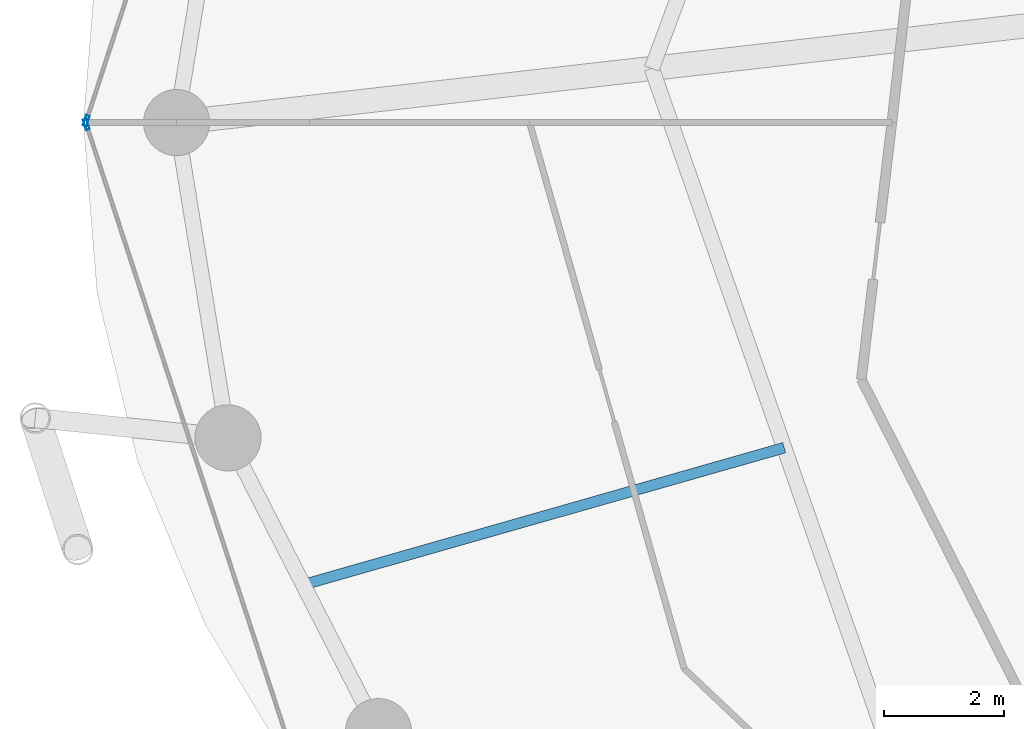
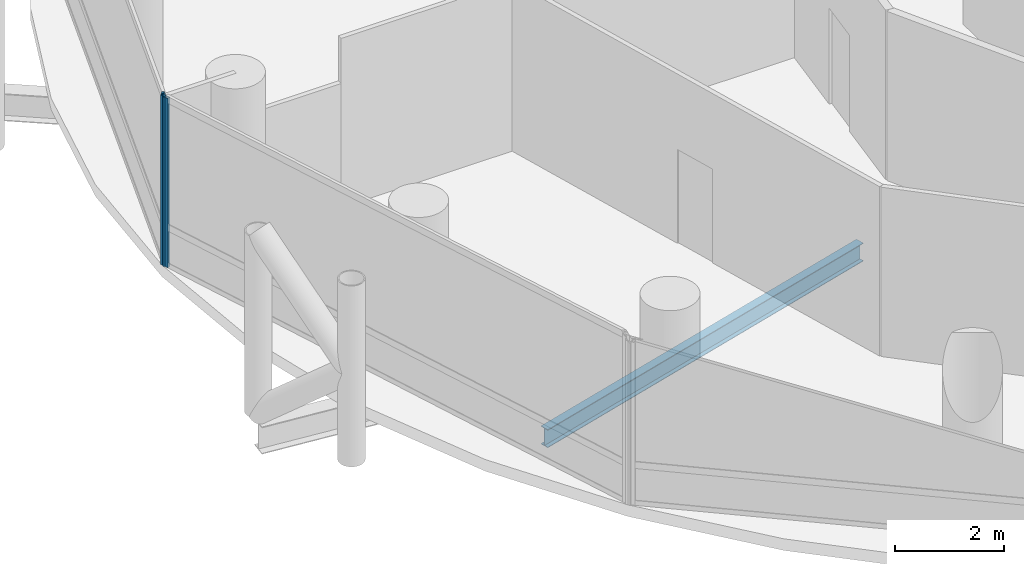
# One storey, part 6 of 24: 2 members, 1 beam, 2 elements without a shape of their own.
"""IFC4 building model written with IfcOpenShell, lengths in metres."""

from ifc_helpers import new_model, si_unit, direction, frame, origin, origin_2d, place, context, subcontext, project, spatial, hollow_rectangle, i_section, extrude, material, layer, layer_set, material_profile, profile_set, type_object, element, aggregate, save


model = new_model("IFC4")

# Units and contexts
model_context = context("Model", 3, precision=1e-05, world=origin(), true_north=direction((0.0, 1.0)))
body_context = subcontext(model_context, "Body", "Model", "MODEL_VIEW")
ifc_project = project(units=[si_unit("LENGTHUNIT", "METRE"), si_unit("AREAUNIT", "SQUARE_METRE"), si_unit("VOLUMEUNIT", "CUBIC_METRE"), si_unit("PLANEANGLEUNIT", "RADIAN"), si_unit("MASSUNIT", "GRAM", prefix="KILO")], contexts=[model_context])

# Site, building, storey
site_placement = place(None, origin())
site = spatial("IfcSite", under=ifc_project, at=site_placement, CompositionType="ELEMENT")
building_placement = place(site_placement, origin())
building = spatial("IfcBuilding", under=site, at=building_placement, Name="Nuhasar Tower", CompositionType="ELEMENT")
storey_placement = place(building_placement, frame((0.0, 0.0, 41.25)))
storey = spatial("IfcBuildingStorey", under=building, at=storey_placement, Name="L09", CompositionType="ELEMENT", Elevation=41.25)

# Beam
ifc_material_1 = material(Name="Steel S355", Category="steel")
ifc_material_profile_1 = material_profile(ifc_material_1, i_section(OverallWidth=0.177978515625, OverallDepth=0.406005859375, WebThickness=0.0078125, FlangeThickness=0.0126953125, at=origin_2d()), Name="W16X40")
ifc_profile_set_1 = profile_set([ifc_material_profile_1], Name="Steel S355")
beam_type = type_object("IfcBeamType", Name="BM-JST-W16X40", PredefinedType="JOIST", material=ifc_profile_set_1)
beam_placement = place(storey_placement, frame((24.051025390625, 21.39501953125, -0.462890625), z_axis=(-0.961730884496, -0.273995813484, 0.0), x_axis=(0.273995813484, -0.961730884496, 0.0)))
element("IfcBeam", 1, at=beam_placement, inside=storey, type_object=beam_type, Name="L09 Secondary Floor Joist 08", PredefinedType="JOIST", context=body_context, shape_type="SweptSolid", body=[
    extrude(i_section(OverallWidth=0.177978515625, OverallDepth=0.406005859375, WebThickness=0.0078125, FlangeThickness=0.0126953125, at=origin_2d()), origin(), (0.0, 0.0, 1.0), 8.314208984375),
])

# Curtain wall, member
ifc_material_2 = material(Name="Aluminium 6063-T6", Category="aluminium")
ifc_layer = layer(ifc_material_2, 0.199951171875)
ifc_layer_set = layer_set([ifc_layer], Name="Aluminium 6063-T6")
curtain_wall_type = type_object("IfcCurtainWallType", Name="CW-Z1-OFF", PredefinedType="NOTDEFINED", material=ifc_layer_set)
curtain_wall_1_placement = place(storey_placement, origin())
curtain_wall_1 = element("IfcCurtainWall", 2, at=curtain_wall_1_placement, inside=storey, type_object=curtain_wall_type, Name="L09 Unitised Curtain Wall 06", PredefinedType="NOTDEFINED")
ifc_material_profile_2 = material_profile(ifc_material_2, hollow_rectangle(XDim=0.06494140625, YDim=0.179931640625, WallThickness=0.0048828125, at=origin_2d()), Name="CWM-2")
ifc_profile_set_2 = profile_set([ifc_material_profile_2], Name="Aluminium 6063-T6")
member_type = type_object("IfcMemberType", Name="CW-MUL-S2", PredefinedType="MULLION", material=ifc_profile_set_2)
member_1_placement = place(storey_placement, frame((12.4501953125, 26.830810546875, 0.0), z_axis=(0.0, 0.0, 1.0), x_axis=(0.950467534571, -0.310823849997, 0.0)))
member_1 = element("IfcMember", 3, at=member_1_placement, type_object=member_type, Name="CW-Z1 mullion 2", PredefinedType="MULLION", context=body_context, shape_type="SweptSolid", body=[
    extrude(hollow_rectangle(XDim=0.06494140625, YDim=0.179931640625, WallThickness=0.0048828125, at=origin_2d()), origin(), (0.0, 0.0, 1.0), 3.7900390625),
])
aggregate(curtain_wall_1, [member_1])

curtain_wall_2_placement = place(storey_placement, origin())
curtain_wall_2 = element("IfcCurtainWall", 4, at=curtain_wall_2_placement, inside=storey, type_object=curtain_wall_type, Name="L09 Unitised Curtain Wall 07", PredefinedType="NOTDEFINED")
member_2_placement = place(storey_placement, frame((12.4501953125, 26.76904296875, 0.0), z_axis=(0.0, 0.0, 1.0), x_axis=(0.950467534571, 0.310823849997, 0.0)))
member_2 = element("IfcMember", 5, at=member_2_placement, type_object=member_type, Name="CW-Z1 mullion 1", PredefinedType="MULLION", context=body_context, shape_type="SweptSolid", body=[
    extrude(hollow_rectangle(XDim=0.06494140625, YDim=0.179931640625, WallThickness=0.0048828125, at=origin_2d()), origin(), (0.0, 0.0, 1.0), 3.7900390625),
])
aggregate(curtain_wall_2, [member_2])

save(model, "model.ifc")
